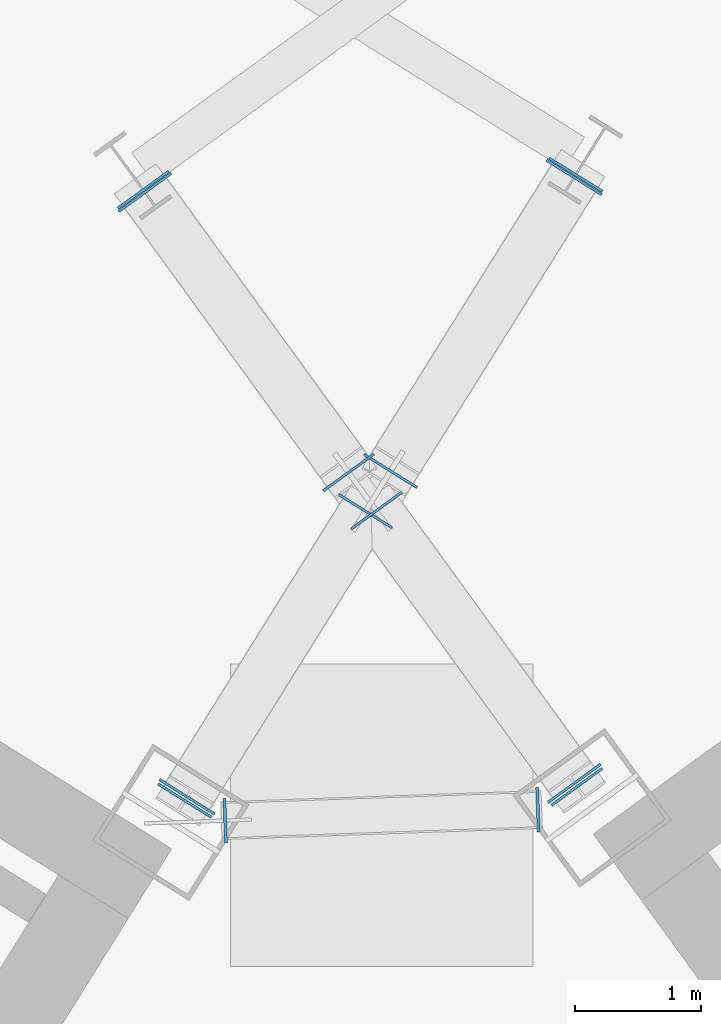
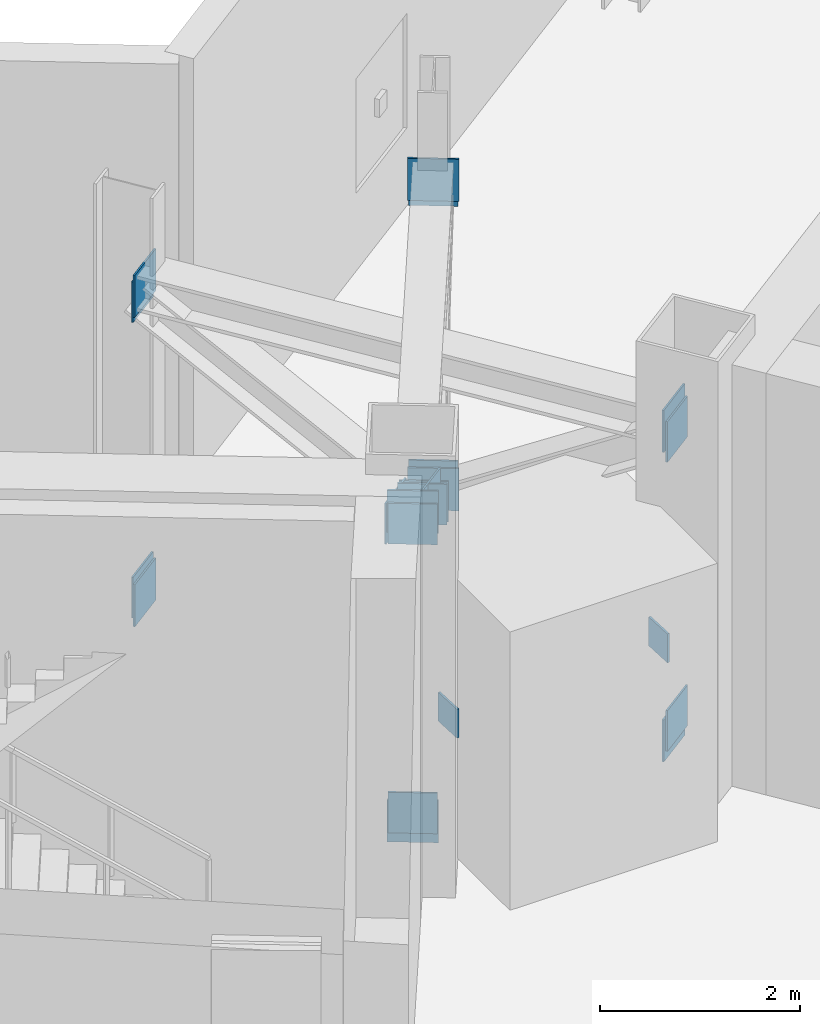
# One storey, part 11 of 21: 22 plates.
"""IFC4 building model written with IfcOpenShell, lengths in metres."""

import ifcopenshell
import ifcopenshell.guid

model = None  # the IFC model being written
_history = None  # IfcOwnerHistory: only IFC2X3 demands one
_inside = {}  # id of a spatial element -> (the spatial element, [elements in it])
_under = {}  # id of a project, library or spatial element -> (it, [spatial elements below it])
_declared = {}  # id of a project -> (the project, [libraries it declares])
_typed = {}  # id of a type object -> (the type object, [elements of that type])
_made_of = {}  # id of a material, layer set ... -> (it, [elements and type objects made of it])


def new_model(schema):
    """Start an empty IFC model of exactly this schema.

    Asked for "IFC4X3", IfcOpenShell would pick the latest addendum, in which some entities
    have other attributes; the version numbers below select the first issue.
    IFC2X3 requires an IfcOwnerHistory on every rooted entity: one is made here for all.
    """
    global model, _history
    if schema == "IFC4X3":
        model = ifcopenshell.file(schema_version=(4, 3, 0, 0))
    else:
        model = ifcopenshell.file(schema=schema)
    _inside.clear()
    _under.clear()
    _declared.clear()
    _typed.clear()
    _made_of.clear()
    _history = None
    if model.schema == "IFC2X3":
        org = make("IfcOrganization", Name="unknown")
        user = make(
            "IfcPersonAndOrganization",
            ThePerson=make("IfcPerson", FamilyName="unknown"),
            TheOrganization=org,
        )
        app = make(
            "IfcApplication",
            ApplicationDeveloper=org,
            Version="unknown",
            ApplicationFullName="unknown",
            ApplicationIdentifier="unknown",
        )
        _history = make(
            "IfcOwnerHistory",
            OwningUser=user,
            OwningApplication=app,
            ChangeAction="ADDED",
            CreationDate=0,
        )
    return model


def make(cls, **values):
    """One entity of the class cls with the attributes given. An attribute that is None is left unset."""
    return model.create_entity(
        cls, **{name: value for name, value in values.items() if value is not None}
    )


def rooted(cls, **values):
    """An entity with a GlobalId (a new one), such as an element, a storey or a relation."""
    return make(cls, GlobalId=ifcopenshell.guid.new(), OwnerHistory=_history, **values)


def si_unit(unit_type, name, prefix=None):
    """IfcSIUnit, for example si_unit("LENGTHUNIT", "METRE", prefix="MILLI")."""
    return make("IfcSIUnit", UnitType=unit_type, Prefix=prefix, Name=name)


def assignment(units):
    """IfcUnitAssignment: the units of a project."""
    return None if units is None else make("IfcUnitAssignment", Units=units)


def point(xyz):
    """IfcCartesianPoint."""
    return None if xyz is None else make("IfcCartesianPoint", Coordinates=xyz)


def direction(xyz):
    """IfcDirection."""
    return None if xyz is None else make("IfcDirection", DirectionRatios=xyz)


def frame(location, z_axis=None, x_axis=None):
    """IfcAxis2Placement3D, a coordinate frame: its origin and axes. An axis left out is left unset."""
    return make(
        "IfcAxis2Placement3D",
        Location=point(location),
        Axis=direction(z_axis),
        RefDirection=direction(x_axis),
    )


def frame_2d(location, x_axis=None):
    """IfcAxis2Placement2D, a coordinate frame in the plane: its origin and x axis."""
    return make(
        "IfcAxis2Placement2D", Location=point(location), RefDirection=direction(x_axis)
    )


def origin():
    """The frame at (0, 0, 0) with its axes left unset."""
    return frame((0.0, 0.0, 0.0))


def origin_2d():
    """The frame at (0, 0) in the plane with its x axis left unset."""
    return frame_2d((0.0, 0.0))


def place(relative_to, where):
    """IfcLocalPlacement: puts the frame where relative to a parent placement (None: the world)."""
    return make(
        "IfcLocalPlacement", PlacementRelTo=relative_to, RelativePlacement=where
    )


def context(
    kind, dimensions, precision=None, world=None, true_north=None, identifier=None
):
    """IfcGeometricRepresentationContext, for example the 3D "Model" context."""
    return make(
        "IfcGeometricRepresentationContext",
        ContextIdentifier=identifier,
        ContextType=kind,
        CoordinateSpaceDimension=dimensions,
        Precision=precision,
        WorldCoordinateSystem=world,
        TrueNorth=true_north,
    )


def subcontext(parent, identifier, kind, view, scale=None):
    """IfcGeometricRepresentationSubContext, for example "Body" below "Model"."""
    return make(
        "IfcGeometricRepresentationSubContext",
        ContextIdentifier=identifier,
        ContextType=kind,
        ParentContext=parent,
        TargetScale=scale,
        TargetView=view,
    )


def project(units=None, contexts=None):
    """IfcProject with its units and contexts."""
    return rooted(
        "IfcProject",
        Name="project",
        RepresentationContexts=contexts,
        UnitsInContext=assignment(units),
    )


def spatial(cls, under=None, at=None, **own):
    """A site, building, storey or space (cls), placed at a placement, below another one or the project."""
    s = rooted(cls, ObjectPlacement=at, **own)
    if under is not None:
        _under.setdefault(under.id(), (under, []))[1].append(s)
    return s


def profile(cls, at=None, kind="AREA", **sizes):
    """A parametric profile (cls). Its sizes go by their IFC names, for example OverallWidth=200.0."""
    return make(cls, ProfileType=kind, Position=at, **sizes)


def rectangle(**sizes):
    """IfcRectangleProfileDef."""
    return profile("IfcRectangleProfileDef", **sizes)


def extrude(swept, where, along, depth):
    """IfcExtrudedAreaSolid: the profile swept, set in the frame where, extruded along a direction by depth."""
    return make(
        "IfcExtrudedAreaSolid",
        SweptArea=swept,
        Position=where,
        ExtrudedDirection=direction(along),
        Depth=depth,
    )


def shape(context_of_items, identifier, shape_type, items):
    """IfcShapeRepresentation: the items that make up one representation, for example the "Body"."""
    return make(
        "IfcShapeRepresentation",
        ContextOfItems=context_of_items,
        RepresentationIdentifier=identifier,
        RepresentationType=shape_type,
        Items=items,
    )


def source(mapping_origin, context_of_items, identifier, shape_type, items):
    """IfcRepresentationMap: a shape defined once, which mapped items show again and again."""
    return make(
        "IfcRepresentationMap",
        MappingOrigin=mapping_origin,
        MappedRepresentation=shape(context_of_items, identifier, shape_type, items),
    )


def transform(
    local_origin,
    x_axis=None,
    y_axis=None,
    z_axis=None,
    scale=None,
    scale2=None,
    scale3=None,
    uniform=True,
):
    """IfcCartesianTransformationOperator3D, or its non-uniform kind. x_axis, y_axis, z_axis: its Axis1, 2, 3."""
    if uniform:
        return make(
            "IfcCartesianTransformationOperator3D",
            Axis1=direction(x_axis),
            Axis2=direction(y_axis),
            LocalOrigin=point(local_origin),
            Scale=scale,
            Axis3=direction(z_axis),
        )
    return make(
        "IfcCartesianTransformationOperator3DnonUniform",
        Axis1=direction(x_axis),
        Axis2=direction(y_axis),
        LocalOrigin=point(local_origin),
        Scale=scale,
        Axis3=direction(z_axis),
        Scale2=scale2,
        Scale3=scale3,
    )


def mapped(mapping_source, mapping_target):
    """IfcMappedItem: shows the shape of a source again, moved by a transform."""
    return make(
        "IfcMappedItem", MappingSource=mapping_source, MappingTarget=mapping_target
    )


def material(Name=None, Category=None):
    """IfcMaterial."""
    return make("IfcMaterial", Name=Name, Category=Category)


def layer(
    of_material, thickness, ventilated=None, Name=None, Category=None, Priority=None
):
    """IfcMaterialLayer: one layer of a wall or slab, of a material (None: an air gap)."""
    return make(
        "IfcMaterialLayer",
        Material=of_material,
        LayerThickness=thickness,
        IsVentilated=ventilated,
        Name=Name,
        Category=Category,
        Priority=Priority,
    )


def layer_set(layers, Name=None):
    """IfcMaterialLayerSet."""
    return make("IfcMaterialLayerSet", MaterialLayers=layers, LayerSetName=Name)


def made_of(thing, what):
    """Note that an element or type object is made of a material, layer set ...; save() writes the relation."""
    if what is not None:
        _made_of.setdefault(what.id(), (what, []))[1].append(thing)
    return thing


def type_object(cls, material=None, **own):
    """A type object (cls), such as IfcWallType, which elements share."""
    return made_of(rooted(cls, **own), material)


def element(
    cls,
    number,
    at=None,
    inside=None,
    cuts=None,
    type_object=None,
    material=None,
    context=None,
    identifier="Body",
    shape_type=None,
    held_by="IfcProductDefinitionShape",
    body=None,
    shapes=None,
    **own,
):
    """One element of the class cls, such as IfcWall. Its Tag is "e" and its number.

    at: its placement. inside: the storey or other place that contains it. cuts: it is an
    opening in that element (IfcRelVoidsElement). A single representation is given by context,
    identifier, shape_type and body (its items); several are given by shapes. held_by: the class
    of the entity that holds the representations. save() writes the other relations.
    """
    e = rooted(cls, Tag="e%d" % number, ObjectPlacement=at, **own)
    if body is not None:
        shapes = [shape(context, identifier, shape_type, body)]
    if shapes is not None:
        e.Representation = make(held_by, Representations=shapes)
    if inside is not None:
        _inside.setdefault(inside.id(), (inside, []))[1].append(e)
    if cuts is not None:
        rooted(
            "IfcRelVoidsElement", RelatingBuildingElement=cuts, RelatedOpeningElement=e
        )
    if type_object is not None:
        _typed.setdefault(type_object.id(), (type_object, []))[1].append(e)
    return made_of(e, material)


def aggregate(whole, parts):
    """IfcRelAggregates: a whole, such as a stair, and the parts it consists of."""
    return rooted("IfcRelAggregates", RelatingObject=whole, RelatedObjects=parts)


def save(model, path):
    """Write the relations noted so far, then the file.

    IfcRelAggregates (storeys below a building ...), IfcRelContainedInSpatialStructure (elements
    in a storey), IfcRelDefinesByType, IfcRelAssociatesMaterial and IfcRelDeclares: one each for
    every whole, place, type object, material and project.
    """
    for whole, parts in _under.values():
        aggregate(whole, parts)
    for where, things in _inside.values():
        rooted(
            "IfcRelContainedInSpatialStructure",
            RelatedElements=things,
            RelatingStructure=where,
        )
    for kind, things in _typed.values():
        rooted("IfcRelDefinesByType", RelatedObjects=things, RelatingType=kind)
    for what, things in _made_of.values():
        rooted("IfcRelAssociatesMaterial", RelatedObjects=things, RelatingMaterial=what)
    for by, libraries in _declared.values():
        rooted("IfcRelDeclares", RelatingContext=by, RelatedDefinitions=libraries)
    model.write(path)


model = new_model("IFC4")

# Units and contexts
model_context = context("Model", 3, precision=1e-05, world=origin(), true_north=direction((0.0, 1.0)))
body_context = subcontext(model_context, "Body", "Model", "MODEL_VIEW")
ifc_project = project(units=[si_unit("LENGTHUNIT", "METRE"), si_unit("AREAUNIT", "SQUARE_METRE"), si_unit("VOLUMEUNIT", "CUBIC_METRE"), si_unit("PLANEANGLEUNIT", "RADIAN"), si_unit("MASSUNIT", "GRAM", prefix="KILO")], contexts=[model_context])

# Site, building, storey
site_placement = place(None, origin())
site = spatial("IfcSite", under=ifc_project, at=site_placement, CompositionType="ELEMENT")
building_placement = place(site_placement, origin())
building = spatial("IfcBuilding", under=site, at=building_placement, Name="Tlacorven Tower", CompositionType="ELEMENT")
storey_placement = place(building_placement, frame((0.0, 0.0, 84.60009765625)))
storey = spatial("IfcBuildingStorey", under=building, at=storey_placement, Name="L21", CompositionType="ELEMENT", Elevation=84.60009765625)

# Plates
ifc_material = material(Name="Steel S460M", Category="steel")
ifc_layer_1 = layer(ifc_material, 0.02001953125)
ifc_layer_set_1 = layer_set([ifc_layer_1], Name="Steel S460M")
plate_type_1 = type_object("IfcPlateType", Name="PL-CAP-END2", PredefinedType="USERDEFINED", material=ifc_layer_set_1)
shared_shape_1 = source(origin(), body_context, "Body", "SweptSolid", [
    extrude(rectangle(XDim=0.02001953125, YDim=0.514892578125, at=origin_2d()), origin(), (0.0, 0.0, 1.0), 0.514892578125),
])
for number, where, z_axis, x_axis, name in (
    (1, (40.91015625, 24.671875, 0.1923828125), (0.0, 0.0, 1.0), (0.529919178845, 0.848048149513, 0.0), "L21 hollow end cap plate OUT-L21-W1-B 1"),
    (2, (43.98095703125, 29.58642578125, 0.1923828125), (0.0, 0.0, 1.0), (0.529919178845, 0.848048149513, 0.0), "L21 hollow end cap plate OUT-L21-W1-B 2"),
    (3, (40.91015625, 24.671875, 3.97265625), (0.0, 0.0, 1.0), (0.529919178845, 0.848048149513, 0.0), "L21 hollow end cap plate OUT-L21-W1-T 1"),
    (4, (43.98095703125, 29.58642578125, 3.97265625), (0.0, 0.0, 1.0), (0.529919178845, 0.848048149513, 0.0), "L21 hollow end cap plate OUT-L21-W1-T 2"),
    (5, (43.982666015625, 24.779296875, 0.1923828125), (0.0, 0.0, 1.0), (-0.587785344171, 0.809016927621, 0.0), "L21 hollow end cap plate OUT-L21-E1-B 1"),
    (6, (40.576416015625, 29.467529296875, 0.1923828125), (0.0, 0.0, 1.0), (-0.587785344171, 0.809016927621, 0.0), "L21 hollow end cap plate OUT-L21-E1-B 2"),
    (7, (43.982666015625, 24.779296875, 3.97265625), (0.0, 0.0, 1.0), (-0.587785344171, 0.809016927621, 0.0), "L21 hollow end cap plate OUT-L21-E1-T 1"),
    (8, (40.576416015625, 29.467529296875, 3.97265625), (0.0, 0.0, 1.0), (-0.587785344171, 0.809016927621, 0.0), "L21 hollow end cap plate OUT-L21-E1-T 2"),
):
    element("IfcPlate", number, at=place(storey_placement, frame(where, z_axis=z_axis, x_axis=x_axis)), inside=storey, type_object=plate_type_1, Name=name, ObjectType="END PLATE", PredefinedType="USERDEFINED", context=body_context, shape_type="MappedRepresentation", body=[
        mapped(shared_shape_1, transform((0.0, 0.0, 0.0), scale=1.0)),
    ])
shared_shape_2 = source(origin(), body_context, "Body", "SweptSolid", [
    extrude(rectangle(XDim=0.02001953125, YDim=0.49609375, at=origin_2d()), origin(), (0.0, 0.0, 1.0), 0.49609375),
])
for number, where, z_axis, x_axis, name in (
    (9, (40.8916015625, 24.64208984375, 0.326904296875), (0.0, 0.0, 1.0), (0.529919233047, 0.848048115644, 0.0), "L21 hollow end cap plate OUT-L21-W1-D1 1"),
    (10, (43.993896484375, 29.60693359375, 3.89599609375), (0.0, 0.0, 1.0), (0.529919233047, 0.848048115644, 0.0), "L21 hollow end cap plate OUT-L21-W1-D1 2"),
    (11, (40.8916015625, 24.64208984375, 3.85693359375), (0.0, 0.0, 1.0), (0.529920114593, 0.848047564792, 0.0), "L21 hollow end cap plate OUT-L21-W1-D2A 1"),
    (12, (42.326171875, 26.93798828125, 2.206298828125), (0.0, 0.0, 1.0), (0.529920114593, 0.848047564792, 0.0), "L21 hollow end cap plate OUT-L21-W1-D2A 2"),
    (13, (42.525146484375, 27.256591796875, 1.977294921875), (0.0, 0.0, 1.0), (0.529918238108, 0.84804873735, 0.0), "L21 hollow end cap plate OUT-L21-W1-D2B 1"),
    (14, (43.993896484375, 29.60693359375, 0.287841796875), (0.0, 0.0, 1.0), (0.529918238108, 0.84804873735, 0.0), "L21 hollow end cap plate OUT-L21-W1-D2B 2"),
    (15, (44.00341796875, 24.750732421875, 0.326904296875), (0.0, 0.0, 1.0), (-0.587785258901, 0.809016989574, 0.0), "L21 hollow end cap plate OUT-L21-E1-D1 1"),
    (16, (40.562255859375, 29.487060546875, 3.89599609375), (0.0, 0.0, 1.0), (-0.587785258901, 0.809016989574, 0.0), "L21 hollow end cap plate OUT-L21-E1-D1 2"),
    (17, (44.00341796875, 24.750732421875, 3.85693359375), (0.0, 0.0, 1.0), (-0.587784882249, 0.809017263227, 0.0), "L21 hollow end cap plate OUT-L21-E1-D2A 1"),
    (18, (42.412109375, 26.941162109375, 2.206298828125), (0.0, 0.0, 1.0), (-0.587784882249, 0.809017263227, 0.0), "L21 hollow end cap plate OUT-L21-E1-D2A 2"),
    (19, (42.191162109375, 27.244873046875, 1.977294921875), (0.0, 0.0, 1.0), (-0.587785386065, 0.809016897183, 0.0), "L21 hollow end cap plate OUT-L21-E1-D2B 1"),
    (20, (40.562255859375, 29.487060546875, 0.287841796875), (0.0, 0.0, 1.0), (-0.587785386065, 0.809016897183, 0.0), "L21 hollow end cap plate OUT-L21-E1-D2B 2"),
):
    element("IfcPlate", number, at=place(storey_placement, frame(where, z_axis=z_axis, x_axis=x_axis)), inside=storey, type_object=plate_type_1, Name=name, ObjectType="END PLATE", PredefinedType="USERDEFINED", context=body_context, shape_type="MappedRepresentation", body=[
        mapped(shared_shape_2, transform((0.0, 0.0, 0.0), scale=1.0)),
    ])
ifc_layer_2 = layer(ifc_material, 0.02392578125)
ifc_layer_set_2 = layer_set([ifc_layer_2], Name="Steel S460M")
plate_type_2 = type_object("IfcPlateType", Name="PL-CAP-END1", PredefinedType="USERDEFINED", material=ifc_layer_set_2)
shared_shape_3 = source(origin(), body_context, "Body", "SweptSolid", [
    extrude(rectangle(XDim=0.02392578125, YDim=0.35302734375, at=origin_2d()), origin(), (0.0, 0.0, 1.0), 0.35302734375),
])
for number, where, z_axis, x_axis, name in (
    (21, (41.212646484375, 24.4833984375, 1.573486328125), (0.0, 0.0, 1.0), (0.999390832067, 0.034899352155, 0.0), "L21 hollow end cap plate TRB-L21-RING 1"),
    (22, (43.694091796875, 24.570068359375, 1.573486328125), (0.0, 0.0, 1.0), (0.999390832067, 0.034899352155, 0.0), "L21 hollow end cap plate TRB-L21-RING 2"),
):
    element("IfcPlate", number, at=place(storey_placement, frame(where, z_axis=z_axis, x_axis=x_axis)), inside=storey, type_object=plate_type_2, Name=name, ObjectType="END PLATE", PredefinedType="USERDEFINED", context=body_context, shape_type="MappedRepresentation", body=[
        mapped(shared_shape_3, transform((0.0, 0.0, 0.0), scale=1.0)),
    ])

save(model, "model.ifc")
